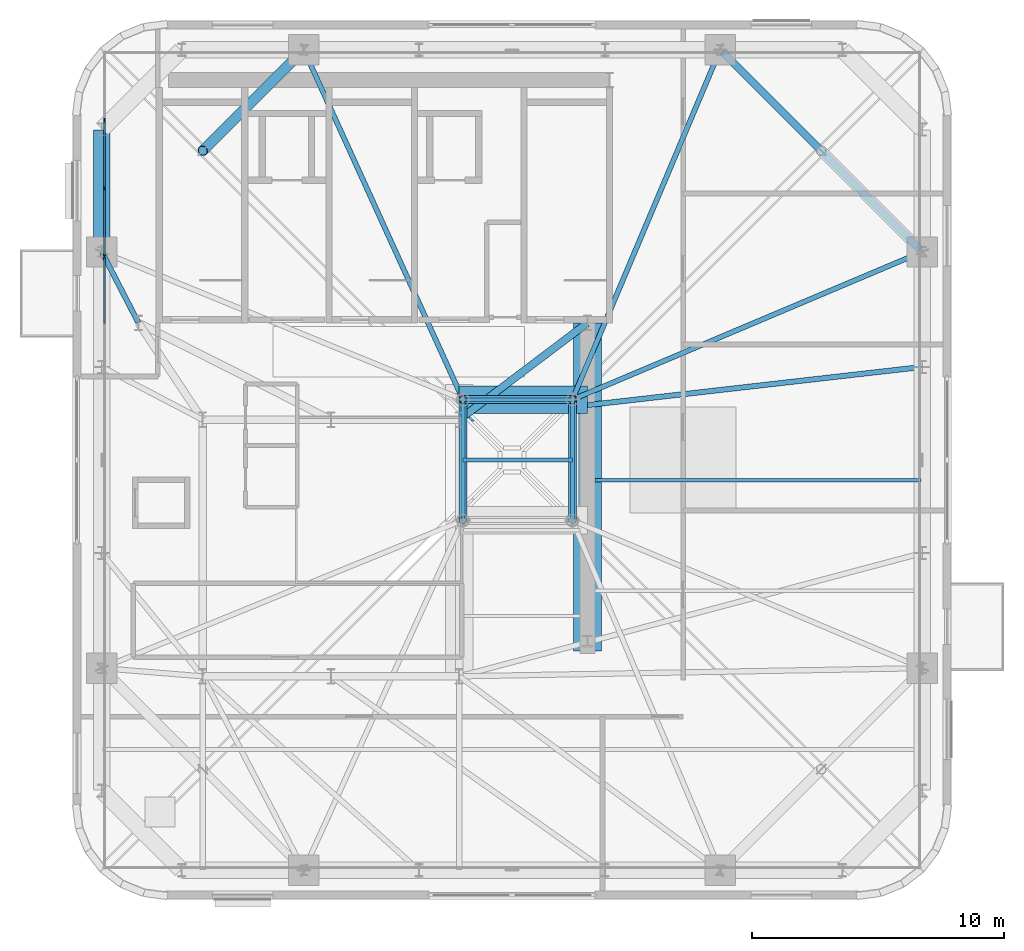
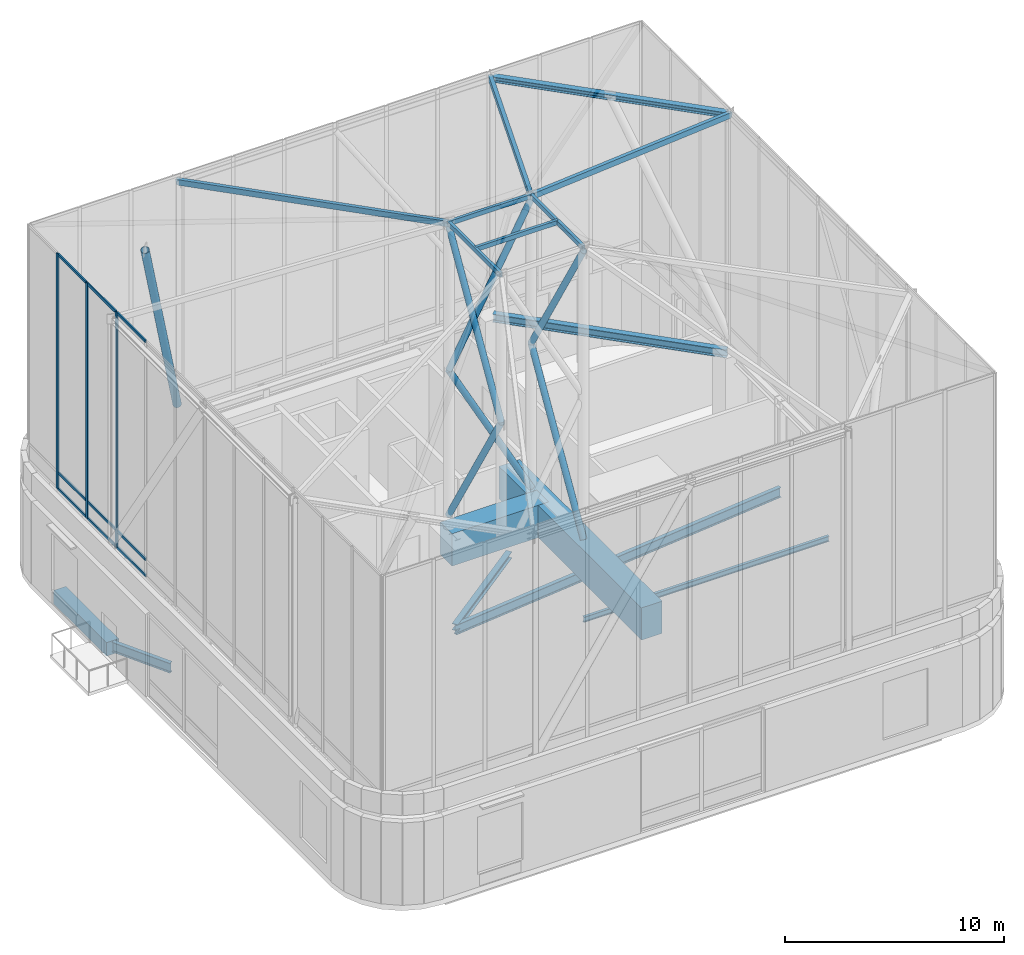
# One storey, part 5 of 15: 26 members, 9 beams, 1 element without a shape of its own.
"""IFC4 building model written with IfcOpenShell, lengths in metres."""

from ifc_helpers import new_model, si_unit, direction, frame, origin, origin_2d, place, context, subcontext, project, spatial, rectangle, hollow_rectangle, hollow_circle, i_section, extrude, source, transform, mapped, material, material_profile, profile_set, type_object, element, aggregate, save


model = new_model("IFC4")

# Units and contexts
model_context = context("Model", 3, precision=1e-05, world=origin(), true_north=direction((0.0, 1.0)))
body_context = subcontext(model_context, "Body", "Model", "MODEL_VIEW")
ifc_project = project(units=[si_unit("LENGTHUNIT", "METRE"), si_unit("AREAUNIT", "SQUARE_METRE"), si_unit("VOLUMEUNIT", "CUBIC_METRE"), si_unit("PLANEANGLEUNIT", "RADIAN"), si_unit("MASSUNIT", "GRAM", prefix="KILO")], contexts=[model_context])

# Site, building, storey
site_placement = place(None, origin())
site = spatial("IfcSite", under=ifc_project, at=site_placement, CompositionType="ELEMENT")
building_placement = place(site_placement, origin())
building = spatial("IfcBuilding", under=site, at=building_placement, Name="Vardaveli Station Tower", CompositionType="ELEMENT")
storey_placement = place(building_placement, frame((0.0, 0.0, 301.14990234375)))
storey = spatial("IfcBuildingStorey", under=building, at=storey_placement, Name="L76", CompositionType="ELEMENT", Elevation=301.14990234375)

# Beams
ifc_material_1 = material(Name="Structural steel S355J2", Category="steel")
ifc_material_profile_1 = material_profile(ifc_material_1, i_section(OverallWidth=0.300048828125, OverallDepth=0.360107421875, WebThickness=0.012451171875, FlangeThickness=0.0224609375, FilletRadius=0.027099609375, at=origin_2d()), Name="HEB 360")
ifc_profile_set_1 = profile_set([ifc_material_profile_1], Name="Structural steel S355J2")
beam_type_1 = type_object("IfcBeamType", Name="BM-HEB360", PredefinedType="BEAM", material=ifc_profile_set_1)
shared_shape_1 = source(origin(), body_context, "Body", "SweptSolid", [
    extrude(i_section(OverallWidth=0.300048828125, OverallDepth=0.360107421875, WebThickness=0.012451171875, FlangeThickness=0.0224609375, FilletRadius=0.027099609375, at=origin_2d()), origin(), (0.0, 0.0, 1.0), 6.35009765625),
])
beam_1_placement = place(storey_placement, frame((41.416015625, 26.81201171875, -0.47998046875), z_axis=(0.798118337722, 0.602500721154, 0.0), x_axis=(-0.602500721154, 0.798118337722, 0.0)))
element("IfcBeam", 1, at=beam_1_placement, inside=storey, type_object=beam_type_1, Name="CBM-L76-02", PredefinedType="BEAM", context=body_context, shape_type="MappedRepresentation", body=[
    mapped(shared_shape_1, transform((0.0, 0.0, 0.0), scale=1.0)),
])
ifc_material_2 = material(Name="Precast concrete C45/55", Category="concrete")
ifc_material_profile_2 = material_profile(ifc_material_2, rectangle(XDim=0.64990234375, YDim=0.75, at=origin_2d()), Name="LPB 650x750")
ifc_profile_set_2 = profile_set([ifc_material_profile_2], Name="Precast concrete C45/55")
beam_type_2 = type_object("IfcBeamType", Name="BM-LPB-750", PredefinedType="BEAM", material=ifc_profile_set_2)
shared_shape_2 = source(origin(), body_context, "Body", "SweptSolid", [
    extrude(rectangle(XDim=0.64990234375, YDim=0.75, at=origin_2d()), origin(), (0.0, 0.0, 1.0), 4.8271484375),
])
beam_2_placement = place(storey_placement, frame((27.18994140625, 38.322998046875, -0.6748046875), z_axis=(0.0, -1.0, 0.0), x_axis=(1.0, 0.0, 0.0)))
element("IfcBeam", 2, at=beam_2_placement, inside=storey, type_object=beam_type_2, Name="RBM-L76-18", PredefinedType="BEAM", context=body_context, shape_type="MappedRepresentation", body=[
    mapped(shared_shape_2, transform((0.0, 0.0, 0.0), scale=1.0)),
])
ifc_material_profile_3 = material_profile(ifc_material_1, i_section(OverallWidth=0.2099609375, OverallDepth=0.550048828125, WebThickness=0.010986328125, FlangeThickness=0.01708984375, FilletRadius=0.02392578125, at=origin_2d()), Name="IPE 550")
ifc_profile_set_3 = profile_set([ifc_material_profile_3], Name="Structural steel S355J2")
beam_type_3 = type_object("IfcBeamType", Name="BM-IPE550", PredefinedType="BEAM", material=ifc_profile_set_3)
shared_shape_3 = source(origin(), body_context, "Body", "SweptSolid", [
    extrude(i_section(OverallWidth=0.2099609375, OverallDepth=0.550048828125, WebThickness=0.010986328125, FlangeThickness=0.01708984375, FilletRadius=0.02392578125, at=origin_2d()), origin(), (0.0, 0.0, 1.0), 18.4892578125),
])
beam_3_placement = place(storey_placement, frame((59.7900390625, 28.897705078125, -0.574951171875), z_axis=(-0.993556952079, -0.113333944497, 0.0), x_axis=(0.113333944497, -0.993556952079, 0.0)))
element("IfcBeam", 3, at=beam_3_placement, inside=storey, type_object=beam_type_3, Name="GBM-L76-07", PredefinedType="BEAM", context=body_context, shape_type="MappedRepresentation", body=[
    mapped(shared_shape_3, transform((0.0, 0.0, 0.0), scale=1.0)),
])
shared_shape_4 = source(origin(), body_context, "Body", "SweptSolid", [
    extrude(i_section(OverallWidth=0.2099609375, OverallDepth=0.550048828125, WebThickness=0.010986328125, FlangeThickness=0.01708984375, FilletRadius=0.02392578125, at=origin_2d()), origin(), (0.0, 0.0, 1.0), 3.140625),
])
beam_4_placement = place(storey_placement, frame((27.19921875, 33.4580078125, -0.574951171875), z_axis=(0.459021074472, -0.888425378516, 0.0), x_axis=(0.888425378516, 0.459021074472, 0.0)))
element("IfcBeam", 4, at=beam_4_placement, inside=storey, type_object=beam_type_3, Name="GBM-L76-12", PredefinedType="BEAM", context=body_context, shape_type="MappedRepresentation", body=[
    mapped(shared_shape_4, transform((0.0, 0.0, 0.0), scale=1.0)),
])
ifc_material_profile_4 = material_profile(ifc_material_1, i_section(OverallWidth=0.14990234375, OverallDepth=0.300048828125, WebThickness=0.007080078125, FlangeThickness=0.0107421875, FilletRadius=0.014892578125, at=origin_2d()), Name="IPE 300")
ifc_profile_set_4 = profile_set([ifc_material_profile_4], Name="Structural steel S355J2")
beam_type_4 = type_object("IfcBeamType", Name="BM-IPE300", PredefinedType="JOIST", material=ifc_profile_set_4)
shared_shape_5 = source(origin(), body_context, "Body", "SweptSolid", [
    extrude(i_section(OverallWidth=0.14990234375, OverallDepth=0.300048828125, WebThickness=0.007080078125, FlangeThickness=0.0107421875, FilletRadius=0.014892578125, at=origin_2d()), origin(), (0.0, 0.0, 1.0), 12.965087890625),
])
beam_5_placement = place(storey_placement, frame((46.804931640625, 24.39990234375, -0.449951171875), z_axis=(1.0, 0.0, 0.0), x_axis=(0.0, 1.0, 0.0)))
element("IfcBeam", 5, at=beam_5_placement, inside=storey, type_object=beam_type_4, Name="SJ-L76-E05", PredefinedType="JOIST", context=body_context, shape_type="MappedRepresentation", body=[
    mapped(shared_shape_5, transform((0.0, 0.0, 0.0), scale=1.0)),
])
ifc_material_profile_5 = material_profile(ifc_material_1, i_section(OverallWidth=0.300048828125, OverallDepth=0.449951171875, WebThickness=0.013916015625, FlangeThickness=0.02587890625, FilletRadius=0.027099609375, at=origin_2d()), Name="HEB 450")
ifc_profile_set_5 = profile_set([ifc_material_profile_5], Name="Structural steel S355J2")
beam_type_5 = type_object("IfcBeamType", Name="BM-HEB450", PredefinedType="BEAM", material=ifc_profile_set_5)
shared_shape_6 = source(origin(), body_context, "Body", "SweptSolid", [
    extrude(i_section(OverallWidth=0.300048828125, OverallDepth=0.449951171875, WebThickness=0.013916015625, FlangeThickness=0.02587890625, FilletRadius=0.027099609375, at=origin_2d()), origin(), (0.0, 0.0, 1.0), 11.08203125),
])
beam_6_placement = place(storey_placement, frame((59.7109375, 33.57470703125, 4.375), z_axis=(-0.707106781187, 0.707106781187, 0.0), x_axis=(-0.707106781187, -0.707106781187, 0.0)))
element("IfcBeam", 6, at=beam_6_placement, inside=storey, type_object=beam_type_5, Name="CRB-BASE-04", PredefinedType="BEAM", context=body_context, shape_type="MappedRepresentation", body=[
    mapped(shared_shape_6, transform((0.0, 0.0, 0.0), scale=1.0)),
])

# Member
ifc_material_3 = material(Name="Structural steel S460M", Category="steel")
ifc_material_profile_6 = material_profile(ifc_material_3, hollow_circle(Radius=0.203125, WallThickness=0.02001953125, at=origin_2d()), Name="CHS 406.4x20")
ifc_profile_set_6 = profile_set([ifc_material_profile_6], Name="Structural steel S460M")
member_type_1 = type_object("IfcMemberType", Name="MEM-ST-CHS406", PredefinedType="STRUT", material=ifc_profile_set_6)
shared_shape_7 = source(origin(), body_context, "Body", "SweptSolid", [
    extrude(hollow_circle(Radius=0.203125, WallThickness=0.02001953125, at=origin_2d()), origin(), (0.0, 0.0, 1.0), 13.68505859375),
])
member_1_placement = place(storey_placement, frame((35.22412109375, 41.510009765625, 5.25), z_axis=(-0.293537937802, -0.293537937802, 0.909764232173), x_axis=(0.707106781187, -0.707106781187, 0.0)))
element("IfcMember", 7, at=member_1_placement, inside=storey, type_object=member_type_1, Name="CRM-STR-06", PredefinedType="STRUT", context=body_context, shape_type="MappedRepresentation", body=[
    mapped(shared_shape_7, transform((0.0, 0.0, 0.0), scale=1.0)),
])

# Beams
ifc_material_profile_7 = material_profile(ifc_material_1, i_section(OverallWidth=0.300048828125, OverallDepth=0.300048828125, WebThickness=0.010986328125, FlangeThickness=0.01904296875, FilletRadius=0.027099609375, at=origin_2d()), Name="HEB 300")
ifc_profile_set_7 = profile_set([ifc_material_profile_7], Name="Structural steel S355J2")
beam_type_6 = type_object("IfcBeamType", Name="BM-HEB300", PredefinedType="BEAM", material=ifc_profile_set_7)
shared_shape_8 = source(origin(), body_context, "Body", "SweptSolid", [
    extrude(i_section(OverallWidth=0.300048828125, OverallDepth=0.300048828125, WebThickness=0.010986328125, FlangeThickness=0.01904296875, FilletRadius=0.027099609375, at=origin_2d()), origin(), (0.0, 0.0, 1.0), 11.08203125),
])
beam_7_placement = place(storey_placement, frame((59.7109375, 33.57470703125, 17.7001953125), z_axis=(-0.707106781187, 0.707106781187, 0.0), x_axis=(-0.707106781187, -0.707106781187, 0.0)))
element("IfcBeam", 8, at=beam_7_placement, inside=storey, type_object=beam_type_6, Name="CRB-EAVE-04", PredefinedType="BEAM", context=body_context, shape_type="MappedRepresentation", body=[
    mapped(shared_shape_8, transform((0.0, 0.0, 0.0), scale=1.0)),
])
ifc_material_4 = material(Name="Concrete C60/75", Category="concrete")
ifc_material_profile_8 = material_profile(ifc_material_4, rectangle(XDim=1.10009765625, YDim=1.800048828125, at=origin_2d()), Name="TG 1100x1800")
ifc_profile_set_8 = profile_set([ifc_material_profile_8], Name="Concrete C60/75")
beam_type_7 = type_object("IfcBeamType", Name="BM-TG-1800", PredefinedType="BEAM", material=ifc_profile_set_8)
shared_shape_9 = source(origin(), body_context, "Body", "SweptSolid", [
    extrude(rectangle(XDim=1.10009765625, YDim=1.800048828125, at=origin_2d()), origin(), (0.0, 0.0, 1.0), 13.0498046875),
])
beam_8_placement = place(storey_placement, frame((46.5, 17.60009765625, 3.7001953125), z_axis=(0.0, 1.0, 0.0), x_axis=(-1.0, 0.0, 0.0)))
element("IfcBeam", 9, at=beam_8_placement, inside=storey, type_object=beam_type_7, Name="CRB-TG-EL", PredefinedType="BEAM", context=body_context, shape_type="MappedRepresentation", body=[
    mapped(shared_shape_9, transform((0.0, 0.0, 0.0), scale=1.0)),
])
shared_shape_10 = source(origin(), body_context, "Body", "SweptSolid", [
    extrude(rectangle(XDim=1.10009765625, YDim=1.800048828125, at=origin_2d()), origin(), (0.0, 0.0, 1.0), 5.10009765625),
])
beam_9_placement = place(storey_placement, frame((41.39990234375, 27.60009765625, 3.7001953125), z_axis=(1.0, 0.0, 0.0), x_axis=(0.0, 1.0, 0.0)))
element("IfcBeam", 10, at=beam_9_placement, inside=storey, type_object=beam_type_7, Name="CRB-TG-N", PredefinedType="BEAM", context=body_context, shape_type="MappedRepresentation", body=[
    mapped(shared_shape_10, transform((0.0, 0.0, 0.0), scale=1.0)),
])

# Members
ifc_material_profile_9 = material_profile(ifc_material_1, hollow_circle(Radius=0.161865234375, WallThickness=0.01611328125, at=origin_2d()), Name="CHS 323.9x16")
ifc_profile_set_9 = profile_set([ifc_material_profile_9], Name="Structural steel S355J2")
member_type_2 = type_object("IfcMemberType", Name="MEM-BR-CHS324", PredefinedType="BRACE", material=ifc_profile_set_9)
shared_shape_11 = source(origin(), body_context, "Body", "SweptSolid", [
    extrude(hollow_circle(Radius=0.161865234375, WallThickness=0.01611328125, at=origin_2d()), origin(), (0.0, 0.0, 1.0), 9.158935546875),
])
for number, where, z_axis, x_axis, name in (
    (11, (45.89990234375, 27.60009765625, 5.300048828125), (-0.47493096275, 0.0, 0.880023056869), (0.0, -1.0, 0.0), "CRM-BRC-05"),
    (12, (41.550048828125, 27.60009765625, 13.360107421875), (0.47493096275, 0.0, 0.880023056869), (0.0, 1.0, 0.0), "CRM-BRC-06"),
):
    element("IfcMember", number, at=place(storey_placement, frame(where, z_axis=z_axis, x_axis=x_axis)), inside=storey, type_object=member_type_2, Name=name, PredefinedType="BRACE", context=body_context, shape_type="MappedRepresentation", body=[
        mapped(shared_shape_11, transform((0.0, 0.0, 0.0), scale=1.0)),
    ])
shared_shape_12 = source(origin(), body_context, "Body", "SweptSolid", [
    extrude(hollow_circle(Radius=0.161865234375, WallThickness=0.01611328125, at=origin_2d()), origin(), (0.0, 0.0, 1.0), 9.381103515625),
])
for number, where, z_axis, x_axis, name in (
    (13, (45.89990234375, 22.800048828125, 5.300048828125), (0.0, 0.511672349782, 0.859180659971), (-1.0, 0.0, 0.0), "CRM-BRC-03"),
    (14, (45.89990234375, 27.60009765625, 13.360107421875), (0.0, -0.511672349782, 0.859180659971), (1.0, 0.0, 0.0), "CRM-BRC-04"),
    (15, (41.550048828125, 27.60009765625, 5.300048828125), (0.0, -0.511672349782, 0.859180659971), (1.0, 0.0, 0.0), "CRM-BRC-07"),
    (16, (41.550048828125, 22.800048828125, 13.360107421875), (0.0, 0.511672349782, 0.859180659971), (-1.0, 0.0, 0.0), "CRM-BRC-08"),
):
    element("IfcMember", number, at=place(storey_placement, frame(where, z_axis=z_axis, x_axis=x_axis)), inside=storey, type_object=member_type_2, Name=name, PredefinedType="BRACE", context=body_context, shape_type="MappedRepresentation", body=[
        mapped(shared_shape_12, transform((0.0, 0.0, 0.0), scale=1.0)),
    ])
ifc_material_profile_10 = material_profile(ifc_material_1, hollow_rectangle(XDim=0.199951171875, YDim=0.300048828125, WallThickness=0.012451171875, at=origin_2d()), Name="RHS 300x200x12.5")
ifc_profile_set_10 = profile_set([ifc_material_profile_10], Name="Structural steel S355J2")
member_type_3 = type_object("IfcMemberType", Name="MEM-RF-RHS300", PredefinedType="RAFTER", material=ifc_profile_set_10)
shared_shape_13 = source(origin(), body_context, "Body", "SweptSolid", [
    extrude(hollow_rectangle(XDim=0.199951171875, YDim=0.300048828125, WallThickness=0.012451171875, at=origin_2d()), origin(), (0.0, 0.0, 1.0), 15.588134765625),
])
for number, where, z_axis, x_axis, name in (
    (17, (59.81005859375, 33.475830078125, 17.7001953125), (-0.89235053455, -0.37693415324, 0.248256253917), (0.389115653902, -0.92118890999, 0.0), "CRM-RAF-04"),
    (18, (51.77587890625, 41.510009765625, 17.7001953125), (-0.376952857935, -0.89234207582, 0.2482582579), (0.921180666287, -0.389135169394, 0.0), "CRM-RAF-05"),
):
    element("IfcMember", number, at=place(storey_placement, frame(where, z_axis=z_axis, x_axis=x_axis)), inside=storey, type_object=member_type_3, Name=name, PredefinedType="RAFTER", context=body_context, shape_type="MappedRepresentation", body=[
        mapped(shared_shape_13, transform((0.0, 0.0, 0.0), scale=1.0)),
    ])
shared_shape_14 = source(origin(), body_context, "Body", "SweptSolid", [
    extrude(hollow_rectangle(XDim=0.199951171875, YDim=0.300048828125, WallThickness=0.012451171875, at=origin_2d()), origin(), (0.0, 0.0, 1.0), 15.76318359375),
])
member_2_placement = place(storey_placement, frame((35.22412109375, 41.510009765625, 17.7001953125), z_axis=(0.401309498203, -0.882428646525, 0.245500245302), x_axis=(0.910286575762, 0.413978683011, 0.0)))
element("IfcMember", 19, at=member_2_placement, inside=storey, type_object=member_type_3, Name="CRM-RAF-06", PredefinedType="RAFTER", context=body_context, shape_type="MappedRepresentation", body=[
    mapped(shared_shape_14, transform((0.0, 0.0, 0.0), scale=1.0)),
])
ifc_material_profile_11 = material_profile(ifc_material_1, hollow_rectangle(XDim=0.14990234375, YDim=0.25, WallThickness=0.010009765625, at=origin_2d()), Name="RHS 250x150x10")
ifc_profile_set_11 = profile_set([ifc_material_profile_11], Name="Structural steel S355J2")
member_type_4 = type_object("IfcMemberType", Name="MEM-PR-RHS250", PredefinedType="PURLIN", material=ifc_profile_set_11)
shared_shape_15 = source(origin(), body_context, "Body", "SweptSolid", [
    extrude(hollow_rectangle(XDim=0.14990234375, YDim=0.25, WallThickness=0.010009765625, at=origin_2d()), origin(), (0.0, 0.0, 1.0), 4.349853515625),
])
for number, where, z_axis, x_axis, name in (
    (20, (45.89990234375, 27.60009765625, 21.59521484375), (-1.0, 0.0, 0.0), (0.0, -1.0, 0.0), "CRM-PUR-03"),
    (21, (41.550048828125, 25.199951171875, 21.59521484375), (1.0, 0.0, 0.0), (0.0, 1.0, 0.0), "CRM-PUR-05"),
):
    element("IfcMember", number, at=place(storey_placement, frame(where, z_axis=z_axis, x_axis=x_axis)), inside=storey, type_object=member_type_4, Name=name, PredefinedType="PURLIN", context=body_context, shape_type="MappedRepresentation", body=[
        mapped(shared_shape_15, transform((0.0, 0.0, 0.0), scale=1.0)),
    ])
shared_shape_16 = source(origin(), body_context, "Body", "SweptSolid", [
    extrude(hollow_rectangle(XDim=0.14990234375, YDim=0.25, WallThickness=0.010009765625, at=origin_2d()), origin(), (0.0, 0.0, 1.0), 4.800048828125),
])
for number, where, z_axis, x_axis, name in (
    (22, (45.89990234375, 22.800048828125, 21.59521484375), (0.0, 1.0, 0.0), (-1.0, 0.0, 0.0), "CRM-PUR-02"),
    (23, (41.550048828125, 27.60009765625, 21.59521484375), (0.0, -1.0, 0.0), (1.0, 0.0, 0.0), "CRM-PUR-04"),
):
    element("IfcMember", number, at=place(storey_placement, frame(where, z_axis=z_axis, x_axis=x_axis)), inside=storey, type_object=member_type_4, Name=name, PredefinedType="PURLIN", context=body_context, shape_type="MappedRepresentation", body=[
        mapped(shared_shape_16, transform((0.0, 0.0, 0.0), scale=1.0)),
    ])

# Curtain wall, members
ifc_material_5 = material(Name="Travertine stone and solar-control glass", Category="masonry")
curtain_wall_type = type_object("IfcCurtainWallType", Name="CW-SYS-6", PredefinedType="NOTDEFINED", material=ifc_material_5)
curtain_wall_placement = place(storey_placement, origin())
curtain_wall = element("IfcCurtainWall", 24, at=curtain_wall_placement, inside=storey, type_object=curtain_wall_type, Name="CW-L76-CRN-W1", PredefinedType="NOTDEFINED")
ifc_material_6 = material(Name="Anodised aluminium alloy 6063-T6", Category="aluminium")
ifc_material_profile_12 = material_profile(ifc_material_6, rectangle(XDim=0.074951171875, YDim=0.18994140625, at=origin_2d()), Name="CWM 75x190")
ifc_profile_set_12 = profile_set([ifc_material_profile_12], Name="Anodised aluminium alloy 6063-T6")
member_type_5 = type_object("IfcMemberType", Name="CW-SYS-6-MULL", PredefinedType="MULLION", material=ifc_profile_set_12)
shared_shape_17 = source(origin(), body_context, "Body", "SweptSolid", [
    extrude(rectangle(XDim=0.074951171875, YDim=0.18994140625, at=origin_2d()), origin(), (0.0, 0.0, 1.0), 13.150146484375),
])
member_3_placement = place(storey_placement, frame((27.300048828125, 38.699951171875, 5.0), z_axis=(0.0, 0.0, 1.0), x_axis=(1.0, 0.0, 0.0)))
member_3 = element("IfcMember", 25, at=member_3_placement, type_object=member_type_5, Name="CW-6 mullion 2", PredefinedType="MULLION", context=body_context, shape_type="MappedRepresentation", body=[
    mapped(shared_shape_17, transform((0.0, 0.0, 0.0), scale=1.0)),
])
member_4_placement = place(storey_placement, frame((27.300048828125, 36.0, 5.0), z_axis=(0.0, 0.0, 1.0), x_axis=(1.0, 0.0, 0.0)))
member_4 = element("IfcMember", 26, at=member_4_placement, type_object=member_type_5, Name="CW-6 mullion 3", PredefinedType="MULLION", context=body_context, shape_type="MappedRepresentation", body=[
    mapped(shared_shape_17, transform((0.0, 0.0, 0.0), scale=1.0)),
])
member_5_placement = place(storey_placement, frame((27.300048828125, 33.300048828125, 5.0), z_axis=(0.0, 0.0, 1.0), x_axis=(1.0, 0.0, 0.0)))
member_5 = element("IfcMember", 27, at=member_5_placement, type_object=member_type_5, Name="CW-6 mullion 4", PredefinedType="MULLION", context=body_context, shape_type="MappedRepresentation", body=[
    mapped(shared_shape_17, transform((0.0, 0.0, 0.0), scale=1.0)),
])
ifc_material_profile_13 = material_profile(ifc_material_6, rectangle(XDim=0.074951171875, YDim=0.14990234375, at=origin_2d()), Name="CWT 75x150")
ifc_profile_set_13 = profile_set([ifc_material_profile_13], Name="Anodised aluminium alloy 6063-T6")
member_type_6 = type_object("IfcMemberType", Name="CW-SYS-6-TRAN", PredefinedType="NOTDEFINED", material=ifc_profile_set_13)
shared_shape_18 = source(origin(), body_context, "Body", "SweptSolid", [
    extrude(rectangle(XDim=0.074951171875, YDim=0.14990234375, at=origin_2d()), origin(), (0.0, 0.0, 1.0), 2.625),
])
member_6_placement = place(storey_placement, frame((27.300048828125, 38.66259765625, 5.03759765625), z_axis=(0.0, -1.0, 0.0), x_axis=(1.0, 0.0, 0.0)))
member_6 = element("IfcMember", 28, at=member_6_placement, type_object=member_type_6, Name="CW-6 transom 2.1", ObjectType="TRANSOM", PredefinedType="USERDEFINED", context=body_context, shape_type="MappedRepresentation", body=[
    mapped(shared_shape_18, transform((0.0, 0.0, 0.0), scale=1.0)),
])
member_7_placement = place(storey_placement, frame((27.300048828125, 38.66259765625, 5.9501953125), z_axis=(0.0, -1.0, 0.0), x_axis=(1.0, 0.0, 0.0)))
member_7 = element("IfcMember", 29, at=member_7_placement, type_object=member_type_6, Name="CW-6 transom 2.2", ObjectType="TRANSOM", PredefinedType="USERDEFINED", context=body_context, shape_type="MappedRepresentation", body=[
    mapped(shared_shape_18, transform((0.0, 0.0, 0.0), scale=1.0)),
])
member_8_placement = place(storey_placement, frame((27.300048828125, 38.66259765625, 18.112548828125), z_axis=(0.0, -1.0, 0.0), x_axis=(1.0, 0.0, 0.0)))
member_8 = element("IfcMember", 30, at=member_8_placement, type_object=member_type_6, Name="CW-6 transom 2.3", ObjectType="TRANSOM", PredefinedType="USERDEFINED", context=body_context, shape_type="MappedRepresentation", body=[
    mapped(shared_shape_18, transform((0.0, 0.0, 0.0), scale=1.0)),
])
member_9_placement = place(storey_placement, frame((27.300048828125, 35.96240234375, 5.03759765625), z_axis=(0.0, -1.0, 0.0), x_axis=(1.0, 0.0, 0.0)))
member_9 = element("IfcMember", 31, at=member_9_placement, type_object=member_type_6, Name="CW-6 transom 3.1", ObjectType="TRANSOM", PredefinedType="USERDEFINED", context=body_context, shape_type="MappedRepresentation", body=[
    mapped(shared_shape_18, transform((0.0, 0.0, 0.0), scale=1.0)),
])
member_10_placement = place(storey_placement, frame((27.300048828125, 35.96240234375, 5.9501953125), z_axis=(0.0, -1.0, 0.0), x_axis=(1.0, 0.0, 0.0)))
member_10 = element("IfcMember", 32, at=member_10_placement, type_object=member_type_6, Name="CW-6 transom 3.2", ObjectType="TRANSOM", PredefinedType="USERDEFINED", context=body_context, shape_type="MappedRepresentation", body=[
    mapped(shared_shape_18, transform((0.0, 0.0, 0.0), scale=1.0)),
])
member_11_placement = place(storey_placement, frame((27.300048828125, 35.96240234375, 18.112548828125), z_axis=(0.0, -1.0, 0.0), x_axis=(1.0, 0.0, 0.0)))
member_11 = element("IfcMember", 33, at=member_11_placement, type_object=member_type_6, Name="CW-6 transom 3.3", ObjectType="TRANSOM", PredefinedType="USERDEFINED", context=body_context, shape_type="MappedRepresentation", body=[
    mapped(shared_shape_18, transform((0.0, 0.0, 0.0), scale=1.0)),
])
member_12_placement = place(storey_placement, frame((27.300048828125, 33.262451171875, 5.03759765625), z_axis=(0.0, -1.0, 0.0), x_axis=(1.0, 0.0, 0.0)))
member_12 = element("IfcMember", 34, at=member_12_placement, type_object=member_type_6, Name="CW-6 transom 4.1", ObjectType="TRANSOM", PredefinedType="USERDEFINED", context=body_context, shape_type="MappedRepresentation", body=[
    mapped(shared_shape_18, transform((0.0, 0.0, 0.0), scale=1.0)),
])
member_13_placement = place(storey_placement, frame((27.300048828125, 33.262451171875, 5.9501953125), z_axis=(0.0, -1.0, 0.0), x_axis=(1.0, 0.0, 0.0)))
member_13 = element("IfcMember", 35, at=member_13_placement, type_object=member_type_6, Name="CW-6 transom 4.2", ObjectType="TRANSOM", PredefinedType="USERDEFINED", context=body_context, shape_type="MappedRepresentation", body=[
    mapped(shared_shape_18, transform((0.0, 0.0, 0.0), scale=1.0)),
])
member_14_placement = place(storey_placement, frame((27.300048828125, 33.262451171875, 18.112548828125), z_axis=(0.0, -1.0, 0.0), x_axis=(1.0, 0.0, 0.0)))
member_14 = element("IfcMember", 36, at=member_14_placement, type_object=member_type_6, Name="CW-6 transom 4.3", ObjectType="TRANSOM", PredefinedType="USERDEFINED", context=body_context, shape_type="MappedRepresentation", body=[
    mapped(shared_shape_18, transform((0.0, 0.0, 0.0), scale=1.0)),
])
aggregate(curtain_wall, [member_3, member_4, member_5, member_6, member_7, member_8, member_9, member_10, member_11, member_12, member_13, member_14])

save(model, "model.ifc")
